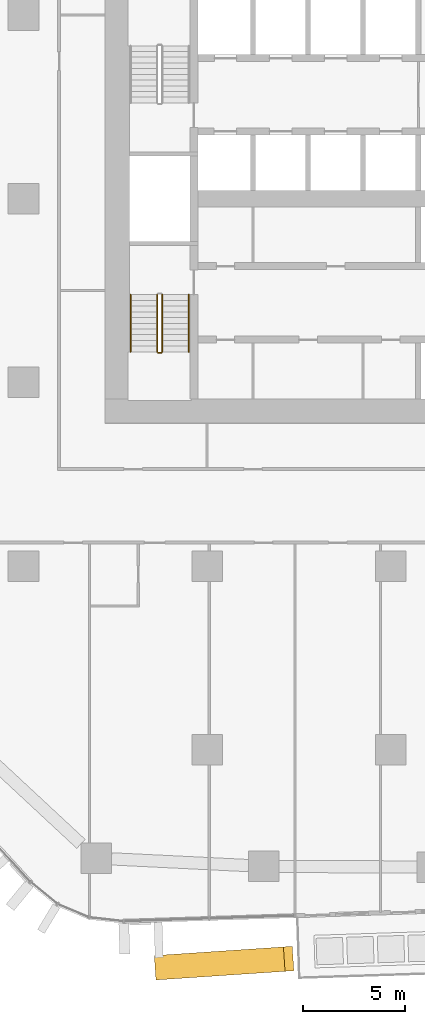
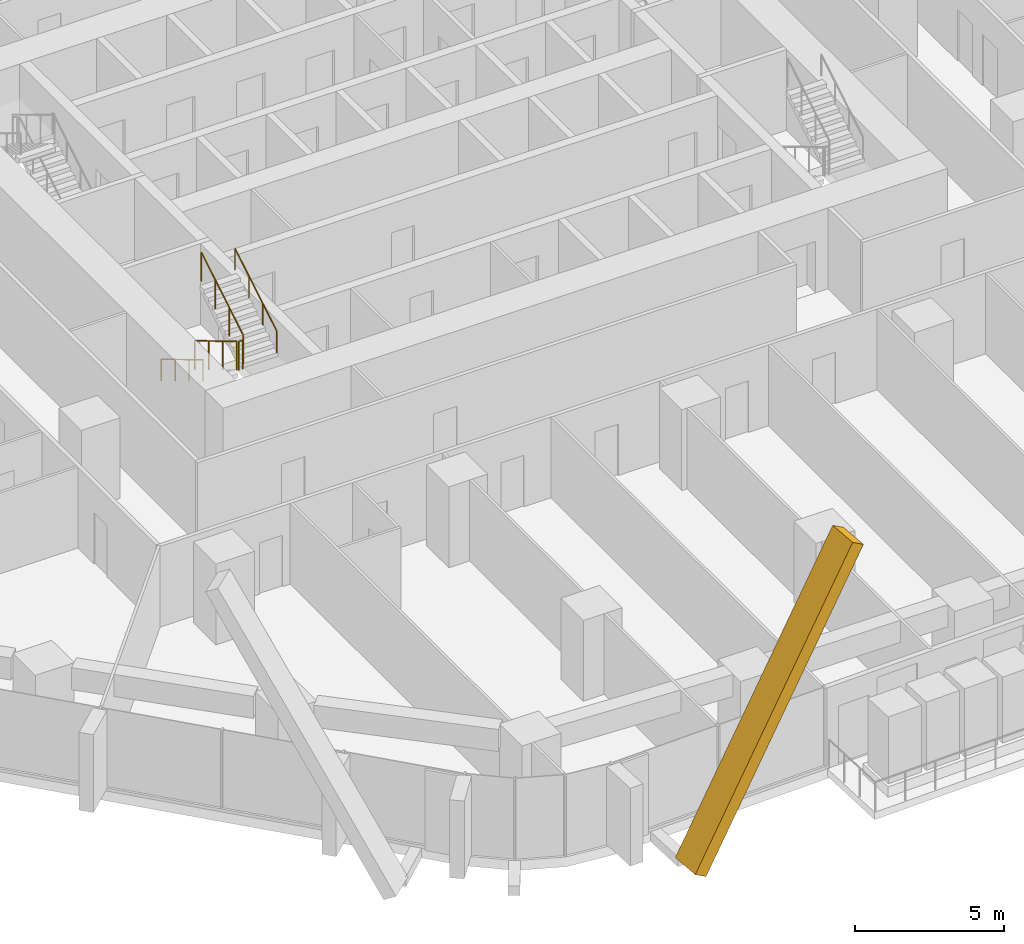
# One storey, part 22 of 27: 5 railings, 1 covering, 1 element without a shape of its own.
"""IFC4 building model written with IfcOpenShell, lengths in metres."""

from ifc_helpers import new_model, si_unit, direction, frame, origin, origin_2d, place, context, subcontext, project, spatial, rectangle, circle, extrude, material, layer, layer_set, material_profile, profile_set, type_object, element, aggregate, save


model = new_model("IFC4")

# Units and contexts
model_context = context("Model", 3, precision=1e-05, world=origin(), true_north=direction((0.0, 1.0)))
body_context = subcontext(model_context, "Body", "Model", "MODEL_VIEW")
ifc_project = project(units=[si_unit("LENGTHUNIT", "METRE"), si_unit("AREAUNIT", "SQUARE_METRE"), si_unit("VOLUMEUNIT", "CUBIC_METRE"), si_unit("PLANEANGLEUNIT", "RADIAN"), si_unit("MASSUNIT", "GRAM", prefix="KILO")], contexts=[model_context])

# Site, building, storey
site_placement = place(None, origin())
site = spatial("IfcSite", under=ifc_project, at=site_placement, CompositionType="ELEMENT")
building_placement = place(site_placement, origin())
building = spatial("IfcBuilding", under=site, at=building_placement, Name="Dongbaek Canopy Tower", CompositionType="ELEMENT")
storey_placement = place(building_placement, frame((0.0, 0.0, 62.5)))
storey = spatial("IfcBuildingStorey", under=building, at=storey_placement, Name="L11", CompositionType="ELEMENT", Elevation=62.5)

# Curtain wall, covering
ifc_material_1 = material(Name="Aluminium 6063-T6 pale anodised", Category="aluminium")
ifc_layer = layer(ifc_material_1, 0.199951171875)
ifc_layer_set = layer_set([ifc_layer], Name="CW-1 unitised tower curtain wall")
curtain_wall_type = type_object("IfcCurtainWallType", Name="CW-1 unitised tower curtain wall", PredefinedType="NOTDEFINED", material=ifc_layer_set)
curtain_wall_placement = place(storey_placement, origin())
curtain_wall = element("IfcCurtainWall", 1, at=curtain_wall_placement, inside=storey, type_object=curtain_wall_type, Name="CW-1 curtain wall F4.1", PredefinedType="NOTDEFINED")
ifc_material_2 = material(Name="Aluminium 6063-T6 pale metal fin", Category="aluminium")
ifc_material_profile = material_profile(ifc_material_2, rectangle(XDim=1.199951171875, YDim=0.5, at=origin_2d()), Name="Crease fin CF1 500 x 1200 pale metal")
ifc_profile_set = profile_set([ifc_material_profile], Name="Aluminium 6063-T6 pale metal fin")
covering_type = type_object("IfcCoveringType", Name="Crease fin CF1 500 x 1200 pale metal", PredefinedType="CLADDING", material=ifc_profile_set)
covering_placement = place(storey_placement, frame((-11.331787109375, -37.674072265625, -0.199951171875), z_axis=(0.495000605423, 0.033248304554, 0.868256270277), x_axis=(-0.067017203654, 0.997751820051, 0.0)))
covering = element("IfcCovering", 2, at=covering_placement, type_object=covering_type, Name="Crease fin L11 L14 F4", PredefinedType="CLADDING", context=body_context, shape_type="SweptSolid", body=[
    extrude(rectangle(XDim=1.199951171875, YDim=0.5, at=origin_2d()), origin(), (0.0, 0.0, 1.0), 12.7841796875),
])
aggregate(curtain_wall, [covering])

# Railings
ifc_material_3 = material(Name="Stainless steel tube and balusters", Category="steel")
railing_type_1 = type_object("IfcRailingType", Name="Stair guard 1200", PredefinedType="GUARDRAIL", material=ifc_material_3)
railing_1_placement = place(storey_placement, frame((-11.449951171875, -4.699951171875, 0.168212890625)))
element("IfcRailing", 3, at=railing_1_placement, inside=storey, type_object=railing_type_1, Name="L11 ST-D stair guard 1", PredefinedType="GUARDRAIL", context=body_context, shape_type="SweptSolid", body=[
    extrude(circle(Radius=0.02392578125, at=origin_2d()), frame((0.0, 0.0, 1.17578125), z_axis=(0.0, -0.857242210791, 0.514913383045), x_axis=(1.0, 0.0, 0.0)), (0.0, 0.0, 1.0), 3.266357421875),
    extrude(circle(Radius=0.02099609375, at=origin_2d()), origin(), (0.0, 0.0, 1.0), 1.15185546875),
    extrude(circle(Radius=0.02099609375, at=origin_2d()), frame((0.0, -0.933349609375, 0.560546875)), (0.0, 0.0, 1.0), 1.15185546875),
    extrude(circle(Radius=0.02099609375, at=origin_2d()), frame((0.0, -1.86669921875, 1.121337890625)), (0.0, 0.0, 1.0), 1.15185546875),
    extrude(circle(Radius=0.02099609375, at=origin_2d()), frame((0.0, -2.800048828125, 1.681884765625)), (0.0, 0.0, 1.0), 1.15185546875),
])
railing_2_placement = place(storey_placement, frame((-11.39990234375, -7.550048828125, 1.85009765625)))
element("IfcRailing", 4, at=railing_2_placement, inside=storey, type_object=railing_type_1, Name="L11 ST-D stair guard 2", PredefinedType="GUARDRAIL", context=body_context, shape_type="SweptSolid", body=[
    extrude(circle(Radius=0.02392578125, at=origin_2d()), frame((0.0, 0.0, 1.17578125), z_axis=(1.0, 0.0, 0.0), x_axis=(0.0, 1.0, 0.0)), (0.0, 0.0, 1.0), 0.14990234375),
    extrude(circle(Radius=0.02099609375, at=origin_2d()), origin(), (0.0, 0.0, 1.0), 1.15185546875),
    extrude(circle(Radius=0.02099609375, at=origin_2d()), frame((0.14990234375, 0.0, 0.0)), (0.0, 0.0, 1.0), 1.15185546875),
])
railing_3_placement = place(storey_placement, frame((-11.199951171875, -7.5, 2.01806640625)))
element("IfcRailing", 5, at=railing_3_placement, inside=storey, type_object=railing_type_1, Name="L11 ST-D stair guard 3", PredefinedType="GUARDRAIL", context=body_context, shape_type="SweptSolid", body=[
    extrude(circle(Radius=0.02392578125, at=origin_2d()), frame((0.0, 0.0, 1.17578125), z_axis=(0.0, 0.857242210791, 0.514913383045), x_axis=(-1.0, 0.0, 0.0)), (0.0, 0.0, 1.0), 3.266357421875),
    extrude(circle(Radius=0.02099609375, at=origin_2d()), origin(), (0.0, 0.0, 1.0), 1.15185546875),
    extrude(circle(Radius=0.02099609375, at=origin_2d()), frame((0.0, 0.933349609375, 0.560546875)), (0.0, 0.0, 1.0), 1.15185546875),
    extrude(circle(Radius=0.02099609375, at=origin_2d()), frame((0.0, 1.86669921875, 1.121337890625)), (0.0, 0.0, 1.0), 1.15185546875),
    extrude(circle(Radius=0.02099609375, at=origin_2d()), frame((0.0, 2.800048828125, 1.681884765625)), (0.0, 0.0, 1.0), 1.15185546875),
])
ifc_material_4 = material(Name="Stainless steel tube", Category="steel")
railing_type_2 = type_object("IfcRailingType", Name="Stair handrail 900", PredefinedType="HANDRAIL", material=ifc_material_4)
railing_4_placement = place(storey_placement, frame((-12.75, -4.699951171875, 0.168212890625)))
element("IfcRailing", 6, at=railing_4_placement, inside=storey, type_object=railing_type_2, Name="L11 ST-D stair handrail 1", PredefinedType="HANDRAIL", context=body_context, shape_type="SweptSolid", body=[
    extrude(circle(Radius=0.02392578125, at=origin_2d()), frame((0.0, 0.0, 0.8759765625), z_axis=(0.0, -0.857242210791, 0.514913383045), x_axis=(1.0, 0.0, 0.0)), (0.0, 0.0, 1.0), 3.266357421875),
    extrude(circle(Radius=0.02099609375, at=origin_2d()), origin(), (0.0, 0.0, 1.0), 0.851806640625),
    extrude(circle(Radius=0.02099609375, at=origin_2d()), frame((0.0, -0.933349609375, 0.560546875)), (0.0, 0.0, 1.0), 0.851806640625),
    extrude(circle(Radius=0.02099609375, at=origin_2d()), frame((0.0, -1.86669921875, 1.121337890625)), (0.0, 0.0, 1.0), 0.851806640625),
    extrude(circle(Radius=0.02099609375, at=origin_2d()), frame((0.0, -2.800048828125, 1.681884765625)), (0.0, 0.0, 1.0), 0.851806640625),
])
railing_5_placement = place(storey_placement, frame((-9.89990234375, -7.5, 2.01806640625)))
element("IfcRailing", 7, at=railing_5_placement, inside=storey, type_object=railing_type_2, Name="L11 ST-D stair handrail 2", PredefinedType="HANDRAIL", context=body_context, shape_type="SweptSolid", body=[
    extrude(circle(Radius=0.02392578125, at=origin_2d()), frame((0.0, 0.0, 0.8759765625), z_axis=(0.0, 0.857242210791, 0.514913383045), x_axis=(-1.0, 0.0, 0.0)), (0.0, 0.0, 1.0), 3.266357421875),
    extrude(circle(Radius=0.02099609375, at=origin_2d()), origin(), (0.0, 0.0, 1.0), 0.851806640625),
    extrude(circle(Radius=0.02099609375, at=origin_2d()), frame((0.0, 0.933349609375, 0.560546875)), (0.0, 0.0, 1.0), 0.851806640625),
    extrude(circle(Radius=0.02099609375, at=origin_2d()), frame((0.0, 1.86669921875, 1.121337890625)), (0.0, 0.0, 1.0), 0.851806640625),
    extrude(circle(Radius=0.02099609375, at=origin_2d()), frame((0.0, 2.800048828125, 1.681884765625)), (0.0, 0.0, 1.0), 0.851806640625),
])

save(model, "model.ifc")
